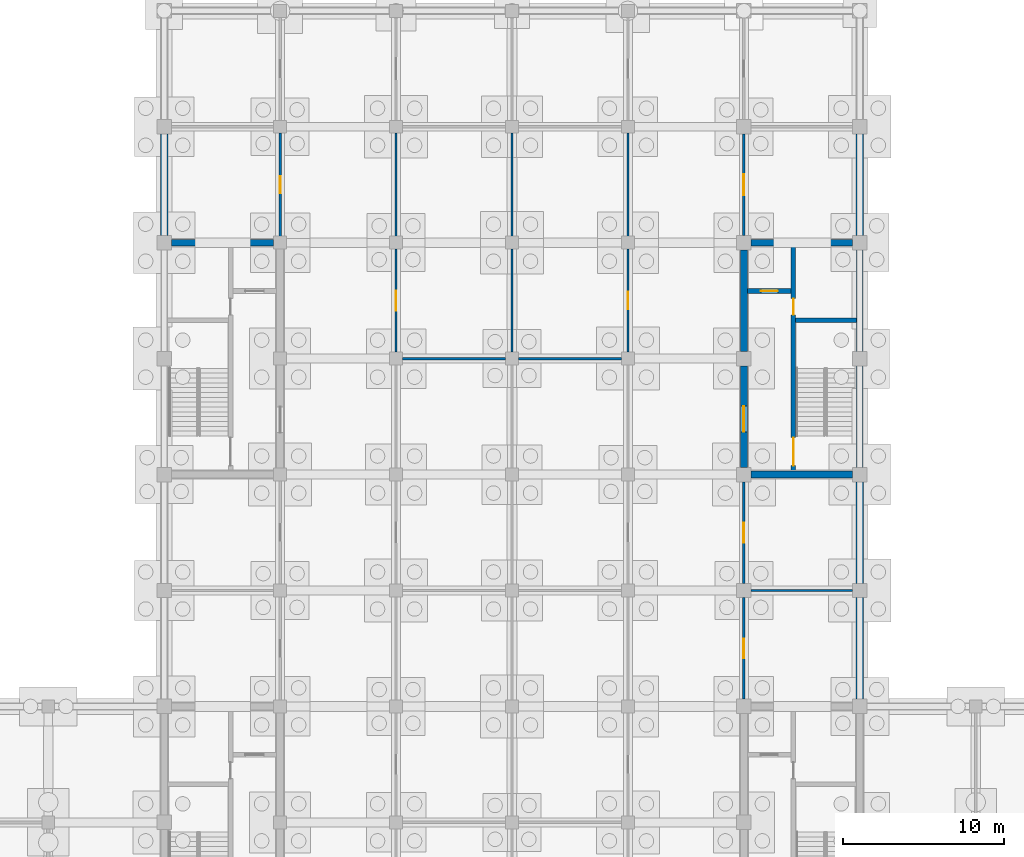
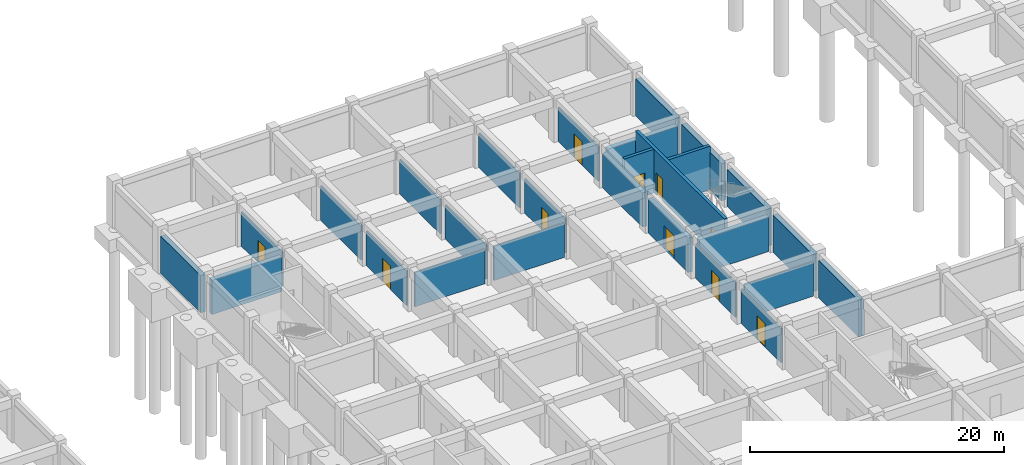
# One storey, part 18 of 25: 27 walls, 10 doors, 10 openings.
"""IFC4 building model written with IfcOpenShell, lengths in metres."""

import ifcopenshell
import ifcopenshell.guid

model = None  # the IFC model being written
_history = None  # IfcOwnerHistory: only IFC2X3 demands one
_inside = {}  # id of a spatial element -> (the spatial element, [elements in it])
_under = {}  # id of a project, library or spatial element -> (it, [spatial elements below it])
_declared = {}  # id of a project -> (the project, [libraries it declares])
_typed = {}  # id of a type object -> (the type object, [elements of that type])
_made_of = {}  # id of a material, layer set ... -> (it, [elements and type objects made of it])


def new_model(schema):
    """Start an empty IFC model of exactly this schema.

    Asked for "IFC4X3", IfcOpenShell would pick the latest addendum, in which some entities
    have other attributes; the version numbers below select the first issue.
    IFC2X3 requires an IfcOwnerHistory on every rooted entity: one is made here for all.
    """
    global model, _history
    if schema == "IFC4X3":
        model = ifcopenshell.file(schema_version=(4, 3, 0, 0))
    else:
        model = ifcopenshell.file(schema=schema)
    _inside.clear()
    _under.clear()
    _declared.clear()
    _typed.clear()
    _made_of.clear()
    _history = None
    if model.schema == "IFC2X3":
        org = make("IfcOrganization", Name="unknown")
        user = make(
            "IfcPersonAndOrganization",
            ThePerson=make("IfcPerson", FamilyName="unknown"),
            TheOrganization=org,
        )
        app = make(
            "IfcApplication",
            ApplicationDeveloper=org,
            Version="unknown",
            ApplicationFullName="unknown",
            ApplicationIdentifier="unknown",
        )
        _history = make(
            "IfcOwnerHistory",
            OwningUser=user,
            OwningApplication=app,
            ChangeAction="ADDED",
            CreationDate=0,
        )
    return model


def make(cls, **values):
    """One entity of the class cls with the attributes given. An attribute that is None is left unset."""
    return model.create_entity(
        cls, **{name: value for name, value in values.items() if value is not None}
    )


def rooted(cls, **values):
    """An entity with a GlobalId (a new one), such as an element, a storey or a relation."""
    return make(cls, GlobalId=ifcopenshell.guid.new(), OwnerHistory=_history, **values)


def si_unit(unit_type, name, prefix=None):
    """IfcSIUnit, for example si_unit("LENGTHUNIT", "METRE", prefix="MILLI")."""
    return make("IfcSIUnit", UnitType=unit_type, Prefix=prefix, Name=name)


def assignment(units):
    """IfcUnitAssignment: the units of a project."""
    return None if units is None else make("IfcUnitAssignment", Units=units)


def point(xyz):
    """IfcCartesianPoint."""
    return None if xyz is None else make("IfcCartesianPoint", Coordinates=xyz)


def direction(xyz):
    """IfcDirection."""
    return None if xyz is None else make("IfcDirection", DirectionRatios=xyz)


def frame(location, z_axis=None, x_axis=None):
    """IfcAxis2Placement3D, a coordinate frame: its origin and axes. An axis left out is left unset."""
    return make(
        "IfcAxis2Placement3D",
        Location=point(location),
        Axis=direction(z_axis),
        RefDirection=direction(x_axis),
    )


def frame_2d(location, x_axis=None):
    """IfcAxis2Placement2D, a coordinate frame in the plane: its origin and x axis."""
    return make(
        "IfcAxis2Placement2D", Location=point(location), RefDirection=direction(x_axis)
    )


def origin():
    """The frame at (0, 0, 0) with its axes left unset."""
    return frame((0.0, 0.0, 0.0))


def place(relative_to, where):
    """IfcLocalPlacement: puts the frame where relative to a parent placement (None: the world)."""
    return make(
        "IfcLocalPlacement", PlacementRelTo=relative_to, RelativePlacement=where
    )


def context(
    kind, dimensions, precision=None, world=None, true_north=None, identifier=None
):
    """IfcGeometricRepresentationContext, for example the 3D "Model" context."""
    return make(
        "IfcGeometricRepresentationContext",
        ContextIdentifier=identifier,
        ContextType=kind,
        CoordinateSpaceDimension=dimensions,
        Precision=precision,
        WorldCoordinateSystem=world,
        TrueNorth=true_north,
    )


def subcontext(parent, identifier, kind, view, scale=None):
    """IfcGeometricRepresentationSubContext, for example "Body" below "Model"."""
    return make(
        "IfcGeometricRepresentationSubContext",
        ContextIdentifier=identifier,
        ContextType=kind,
        ParentContext=parent,
        TargetScale=scale,
        TargetView=view,
    )


def project(units=None, contexts=None):
    """IfcProject with its units and contexts."""
    return rooted(
        "IfcProject",
        Name="project",
        RepresentationContexts=contexts,
        UnitsInContext=assignment(units),
    )


def spatial(cls, under=None, at=None, **own):
    """A site, building, storey or space (cls), placed at a placement, below another one or the project."""
    s = rooted(cls, ObjectPlacement=at, **own)
    if under is not None:
        _under.setdefault(under.id(), (under, []))[1].append(s)
    return s


def profile(cls, at=None, kind="AREA", **sizes):
    """A parametric profile (cls). Its sizes go by their IFC names, for example OverallWidth=200.0."""
    return make(cls, ProfileType=kind, Position=at, **sizes)


def rectangle(**sizes):
    """IfcRectangleProfileDef."""
    return profile("IfcRectangleProfileDef", **sizes)


def extrude(swept, where, along, depth):
    """IfcExtrudedAreaSolid: the profile swept, set in the frame where, extruded along a direction by depth."""
    return make(
        "IfcExtrudedAreaSolid",
        SweptArea=swept,
        Position=where,
        ExtrudedDirection=direction(along),
        Depth=depth,
    )


def shape(context_of_items, identifier, shape_type, items):
    """IfcShapeRepresentation: the items that make up one representation, for example the "Body"."""
    return make(
        "IfcShapeRepresentation",
        ContextOfItems=context_of_items,
        RepresentationIdentifier=identifier,
        RepresentationType=shape_type,
        Items=items,
    )


def material(Name=None, Category=None):
    """IfcMaterial."""
    return make("IfcMaterial", Name=Name, Category=Category)


def layer(
    of_material, thickness, ventilated=None, Name=None, Category=None, Priority=None
):
    """IfcMaterialLayer: one layer of a wall or slab, of a material (None: an air gap)."""
    return make(
        "IfcMaterialLayer",
        Material=of_material,
        LayerThickness=thickness,
        IsVentilated=ventilated,
        Name=Name,
        Category=Category,
        Priority=Priority,
    )


def layer_set(layers, Name=None):
    """IfcMaterialLayerSet."""
    return make("IfcMaterialLayerSet", MaterialLayers=layers, LayerSetName=Name)


def made_of(thing, what):
    """Note that an element or type object is made of a material, layer set ...; save() writes the relation."""
    if what is not None:
        _made_of.setdefault(what.id(), (what, []))[1].append(thing)
    return thing


def type_object(cls, material=None, **own):
    """A type object (cls), such as IfcWallType, which elements share."""
    return made_of(rooted(cls, **own), material)


def element(
    cls,
    number,
    at=None,
    inside=None,
    cuts=None,
    type_object=None,
    material=None,
    context=None,
    identifier="Body",
    shape_type=None,
    held_by="IfcProductDefinitionShape",
    body=None,
    shapes=None,
    **own,
):
    """One element of the class cls, such as IfcWall. Its Tag is "e" and its number.

    at: its placement. inside: the storey or other place that contains it. cuts: it is an
    opening in that element (IfcRelVoidsElement). A single representation is given by context,
    identifier, shape_type and body (its items); several are given by shapes. held_by: the class
    of the entity that holds the representations. save() writes the other relations.
    """
    e = rooted(cls, Tag="e%d" % number, ObjectPlacement=at, **own)
    if body is not None:
        shapes = [shape(context, identifier, shape_type, body)]
    if shapes is not None:
        e.Representation = make(held_by, Representations=shapes)
    if inside is not None:
        _inside.setdefault(inside.id(), (inside, []))[1].append(e)
    if cuts is not None:
        rooted(
            "IfcRelVoidsElement", RelatingBuildingElement=cuts, RelatedOpeningElement=e
        )
    if type_object is not None:
        _typed.setdefault(type_object.id(), (type_object, []))[1].append(e)
    return made_of(e, material)


def fill(opening, filler):
    """IfcRelFillsElement: the door or window that sits in an opening."""
    return rooted(
        "IfcRelFillsElement",
        RelatingOpeningElement=opening,
        RelatedBuildingElement=filler,
    )


def aggregate(whole, parts):
    """IfcRelAggregates: a whole, such as a stair, and the parts it consists of."""
    return rooted("IfcRelAggregates", RelatingObject=whole, RelatedObjects=parts)


def save(model, path):
    """Write the relations noted so far, then the file.

    IfcRelAggregates (storeys below a building ...), IfcRelContainedInSpatialStructure (elements
    in a storey), IfcRelDefinesByType, IfcRelAssociatesMaterial and IfcRelDeclares: one each for
    every whole, place, type object, material and project.
    """
    for whole, parts in _under.values():
        aggregate(whole, parts)
    for where, things in _inside.values():
        rooted(
            "IfcRelContainedInSpatialStructure",
            RelatedElements=things,
            RelatingStructure=where,
        )
    for kind, things in _typed.values():
        rooted("IfcRelDefinesByType", RelatedObjects=things, RelatingType=kind)
    for what, things in _made_of.values():
        rooted("IfcRelAssociatesMaterial", RelatedObjects=things, RelatingMaterial=what)
    for by, libraries in _declared.values():
        rooted("IfcRelDeclares", RelatingContext=by, RelatedDefinitions=libraries)
    model.write(path)


model = new_model("IFC4")

# Units and contexts
model_context = context("Model", 3, precision=1e-05, world=origin(), true_north=direction((0.0, 1.0)))
body_context = subcontext(model_context, "Body", "Model", "MODEL_VIEW")
ifc_project = project(units=[si_unit("LENGTHUNIT", "METRE"), si_unit("AREAUNIT", "SQUARE_METRE"), si_unit("VOLUMEUNIT", "CUBIC_METRE"), si_unit("PLANEANGLEUNIT", "RADIAN"), si_unit("MASSUNIT", "GRAM", prefix="KILO")], contexts=[model_context])

# Site, building, storey
site_placement = place(None, origin())
site = spatial("IfcSite", under=ifc_project, at=site_placement, CompositionType="ELEMENT")
building_placement = place(site_placement, origin())
building = spatial("IfcBuilding", under=site, at=building_placement, Name="Cendaluz Park School", CompositionType="ELEMENT")
storey_placement = place(building_placement, frame((0.0, 0.0, -4.5)))
storey = spatial("IfcBuildingStorey", under=building, at=storey_placement, Name="B1", CompositionType="ELEMENT", Elevation=-4.5)

# Wall, openings, doors
ifc_material_1 = material(Name="Concrete C40/50", Category="concrete")
ifc_layer_1 = layer(ifc_material_1, 0.280029296875)
ifc_layer_set_1 = layer_set([ifc_layer_1], Name="Concrete C40/50")
wall_type_1 = type_object("IfcWallType", Name="W-FW28", PredefinedType="SHEAR", material=ifc_layer_set_1)
wall_1_placement = place(storey_placement, frame((103.8798828125, 43.39990234375, 0.0), z_axis=(0.0, 0.0, 1.0), x_axis=(0.0, 1.0, 0.0)))
wall_1 = element("IfcWall", 1, at=wall_1_placement, inside=storey, type_object=wall_type_1, Name="WL-BA-BU1", PredefinedType="SHEAR", context=body_context, shape_type="SweptSolid", body=[
    extrude(rectangle(XDim=14.0, YDim=0.280029296875, at=frame_2d((7.0, 0.0))), origin(), (0.0, 0.0, 1.0), 4.199951171875),
])
opening_1_placement = place(wall_1_placement, frame((0.35009765625, 0.0, 0.0)))
opening_1 = element("IfcOpeningElement", 2, at=opening_1_placement, cuts=wall_1, Name="Opening DST-03", PredefinedType="OPENING", context=body_context, shape_type="SweptSolid", body=[
    extrude(rectangle(XDim=1.75, YDim=2.14990234375, at=frame_2d((0.875, 1.074951171875))), frame((0.0, 0.152099609375, 0.0), z_axis=(0.0, -1.0, 0.0), x_axis=(1.0, 0.0, 0.0)), (0.0, 0.0, 1.0), 0.303955078125),
])
opening_2_placement = place(wall_1_placement, frame((9.719970703125, 0.0, 0.0)))
opening_2 = element("IfcOpeningElement", 3, at=opening_2_placement, cuts=wall_1, Name="Opening DFC-01", PredefinedType="OPENING", context=body_context, shape_type="SweptSolid", body=[
    extrude(rectangle(XDim=1.0, YDim=2.14990234375, at=frame_2d((0.5, 1.074951171875))), frame((0.0, 0.152099609375, 0.0), z_axis=(0.0, -1.0, 0.0), x_axis=(1.0, 0.0, 0.0)), (0.0, 0.0, 1.0), 0.303955078125),
])
ifc_material_2 = material(Name="Solid Core Hardwood", Category="wood")
door_type_1 = type_object("IfcDoorType", Name="DFC-01", OperationType="NOTDEFINED", PredefinedType="DOOR", material=ifc_material_2)
door_1_placement = place(opening_2_placement, frame((1.0, 0.0, 0.0), z_axis=(0.0, 0.0, 1.0), x_axis=(-1.0, 0.0, 0.0)))
door_1 = element("IfcDoor", 4, at=door_1_placement, inside=storey, type_object=door_type_1, Name="D-B1-017", OperationType="SINGLE_SWING_LEFT", OverallHeight=2.14990234375, OverallWidth=1.0, PredefinedType="DOOR", context=body_context, shape_type="SweptSolid", body=[
    extrude(rectangle(XDim=1.0, YDim=2.14990234375, at=frame_2d((0.5, 1.074951171875))), frame((0.0, 0.02490234375, 0.0), z_axis=(0.0, -1.0, 0.0), x_axis=(1.0, 0.0, 0.0)), (0.0, 0.0, 1.0), 0.050048828125),
])
fill(opening_2, door_1)
door_type_2 = type_object("IfcDoorType", Name="DST-03", OperationType="DOUBLE_DOOR_SINGLE_SWING", PredefinedType="DOOR", material=ifc_material_2)
door_2_placement = place(opening_1_placement, frame((1.75, 0.0, 0.0), z_axis=(0.0, 0.0, 1.0), x_axis=(-1.0, 0.0, 0.0)))
door_2 = element("IfcDoor", 5, at=door_2_placement, inside=storey, type_object=door_type_2, Name="D-B1-016", OperationType="DOUBLE_DOOR_SINGLE_SWING", OverallHeight=2.14990234375, OverallWidth=1.75, PredefinedType="DOOR", context=body_context, shape_type="SweptSolid", body=[
    extrude(rectangle(XDim=1.75, YDim=2.14990234375, at=frame_2d((0.875, 1.074951171875))), frame((0.0, 0.02490234375, 0.0), z_axis=(0.0, -1.0, 0.0), x_axis=(1.0, 0.0, 0.0)), (0.0, 0.0, 1.0), 0.050048828125),
])
fill(opening_1, door_2)

# Wall
wall_2_placement = place(storey_placement, frame((104.02001953125, 52.780029296875, 0.0), z_axis=(0.0, 0.0, 1.0), x_axis=(1.0, 0.0, 0.0)))
element("IfcWall", 6, at=wall_2_placement, inside=storey, type_object=wall_type_1, Name="WL-BA-BU2", PredefinedType="SHEAR", context=body_context, shape_type="SweptSolid", body=[
    extrude(rectangle(XDim=3.780029296875, YDim=0.280029296875, at=frame_2d((1.89013671875, 0.0))), origin(), (0.0, 0.0, 1.0), 4.199951171875),
])

# Wall, opening, door
wall_3_placement = place(storey_placement, frame((101.0400390625, 54.60009765625, 0.0), z_axis=(0.0, 0.0, 1.0), x_axis=(1.0, 0.0, 0.0)))
wall_3 = element("IfcWall", 7, at=wall_3_placement, inside=storey, type_object=wall_type_1, Name="WL-BA-BU3", PredefinedType="SHEAR", context=body_context, shape_type="SweptSolid", body=[
    extrude(rectangle(XDim=2.679931640625, YDim=0.280029296875, at=frame_2d((1.33984375, 0.0))), origin(), (0.0, 0.0, 1.0), 4.199951171875),
])
opening_3_placement = place(wall_3_placement, frame((0.81494140625, 0.0, 0.0)))
opening_3 = element("IfcOpeningElement", 8, at=opening_3_placement, cuts=wall_3, Name="Opening LD-02", PredefinedType="OPENING", context=body_context, shape_type="SweptSolid", body=[
    extrude(rectangle(XDim=1.050048828125, YDim=2.199951171875, at=frame_2d((0.52490234375, 1.10009765625))), frame((0.0, 0.152099609375, 0.0), z_axis=(0.0, -1.0, 0.0), x_axis=(1.0, 0.0, 0.0)), (0.0, 0.0, 1.0), 0.303955078125),
])
ifc_material_3 = material(Name="Stainless Steel 316L", Category="steel")
door_type_3 = type_object("IfcDoorType", Name="LD-02", OperationType="DOUBLE_DOOR_SLIDING", PredefinedType="DOOR", material=ifc_material_3)
door_3_placement = place(opening_3_placement, frame((1.050048828125, 0.0, 0.0), z_axis=(0.0, 0.0, 1.0), x_axis=(-1.0, 0.0, 0.0)))
door_3 = element("IfcDoor", 9, at=door_3_placement, inside=storey, type_object=door_type_3, Name="D-B1-018", OperationType="DOUBLE_DOOR_SLIDING", OverallHeight=2.199951171875, OverallWidth=1.050048828125, PredefinedType="DOOR", context=body_context, shape_type="SweptSolid", body=[
    extrude(rectangle(XDim=1.050048828125, YDim=2.199951171875, at=frame_2d((0.52490234375, 1.10009765625))), frame((0.0, 0.02490234375, 0.0), z_axis=(0.0, -1.0, 0.0), x_axis=(1.0, 0.0, 0.0)), (0.0, 0.0, 1.0), 0.050048828125),
])
fill(opening_3, door_3)

# Walls
ifc_layer_2 = layer(ifc_material_1, 0.449951171875)
ifc_layer_set_2 = layer_set([ifc_layer_2], Name="Concrete C40/50")
wall_type_2 = type_object("IfcWallType", Name="W-RT45", PredefinedType="SOLIDWALL", material=ifc_layer_set_2)
for number, where, z_axis, x_axis, name in (
    (10, (64.800048828125, 58.050048828125, 0.0), (0.0, 0.0, 1.0), (0.0, 1.0, 0.0), "WL-BA-AF7"),
    (11, (108.0, 29.25, 0.0), (0.0, 0.0, 1.0), (0.0, 1.0, 0.0), "WL-BA-AG9"),
    (12, (108.0, 36.449951171875, 0.0), (0.0, 0.0, 1.0), (0.0, 1.0, 0.0), "WL-BA-AH0"),
    (13, (108.0, 58.050048828125, 0.0), (0.0, 0.0, 1.0), (0.0, 1.0, 0.0), "WL-BA-AH1"),
):
    element("IfcWall", number, at=place(storey_placement, frame(where, z_axis=z_axis, x_axis=x_axis)), inside=storey, type_object=wall_type_2, Name=name, PredefinedType="SOLIDWALL", context=body_context, shape_type="SweptSolid", body=[
        extrude(rectangle(XDim=6.300048828125, YDim=0.449951171875, at=frame_2d((3.14990234375, 0.0))), origin(), (0.0, 0.0, 1.0), 3.570068359375),
    ])
ifc_layer_3 = layer(ifc_material_1, 0.419921875)
ifc_layer_set_3 = layer_set([ifc_layer_3], Name="Concrete C40/50")
wall_type_3 = type_object("IfcWallType", Name="W-SH42", PredefinedType="SHEAR", material=ifc_layer_set_3)
wall_4_placement = place(storey_placement, frame((65.25, 57.60009765625, 0.0), z_axis=(0.0, 0.0, 1.0), x_axis=(1.0, 0.0, 0.0)))
element("IfcWall", 14, at=wall_4_placement, inside=storey, type_object=wall_type_3, Name="WL-BA-BT1", PredefinedType="SHEAR", context=body_context, shape_type="SweptSolid", body=[
    extrude(rectangle(XDim=6.35009765625, YDim=0.419921875, at=frame_2d((3.175048828125, 0.0))), origin(), (0.0, 0.0, 1.0), 3.300048828125),
])

# Wall, opening, door
wall_5_placement = place(storey_placement, frame((100.800048828125, 43.64990234375, 0.0), z_axis=(0.0, 0.0, 1.0), x_axis=(0.0, 1.0, 0.0)))
wall_5 = element("IfcWall", 15, at=wall_5_placement, inside=storey, type_object=wall_type_3, Name="WL-BA-BT5", PredefinedType="SHEAR", context=body_context, shape_type="SweptSolid", body=[
    extrude(rectangle(XDim=6.300048828125, YDim=0.419921875, at=frame_2d((3.14990234375, 0.0))), origin(), (0.0, 0.0, 1.0), 3.300048828125),
])
opening_4_placement = place(wall_5_placement, frame((2.199951171875, 0.0, 0.0)))
opening_4 = element("IfcOpeningElement", 16, at=opening_4_placement, cuts=wall_5, Name="Opening DLB-01", PredefinedType="OPENING", context=body_context, shape_type="SweptSolid", body=[
    extrude(rectangle(XDim=1.60009765625, YDim=2.199951171875, at=frame_2d((0.800048828125, 1.10009765625))), frame((0.0, 0.221923828125, 0.0), z_axis=(0.0, -1.0, 0.0), x_axis=(1.0, 0.0, 0.0)), (0.0, 0.0, 1.0), 0.44384765625),
])
door_type_4 = type_object("IfcDoorType", Name="DLB-01", OperationType="DOUBLE_DOOR_SINGLE_SWING", PredefinedType="DOOR", material=ifc_material_2)
door_4_placement = place(opening_4_placement, frame((1.60009765625, 0.0, 0.0), z_axis=(0.0, 0.0, 1.0), x_axis=(-1.0, 0.0, 0.0)))
door_4 = element("IfcDoor", 17, at=door_4_placement, inside=storey, type_object=door_type_4, Name="D-B1-015", OperationType="DOUBLE_DOOR_SINGLE_SWING", OverallHeight=2.199951171875, OverallWidth=1.60009765625, PredefinedType="DOOR", context=body_context, shape_type="SweptSolid", body=[
    extrude(rectangle(XDim=1.60009765625, YDim=2.199951171875, at=frame_2d((0.800048828125, 1.10009765625))), frame((0.0, 0.02490234375, 0.0), z_axis=(0.0, -1.0, 0.0), x_axis=(1.0, 0.0, 0.0)), (0.0, 0.0, 1.0), 0.050048828125),
])
fill(opening_4, door_4)

# Walls
wall_6_placement = place(storey_placement, frame((100.800048828125, 50.85009765625, 0.0), z_axis=(0.0, 0.0, 1.0), x_axis=(0.0, 1.0, 0.0)))
element("IfcWall", 18, at=wall_6_placement, inside=storey, type_object=wall_type_3, Name="WL-BA-BT6", PredefinedType="SHEAR", context=body_context, shape_type="SweptSolid", body=[
    extrude(rectangle(XDim=6.2998046875, YDim=0.419921875, at=frame_2d((3.14990234375, 0.0))), origin(), (0.0, 0.0, 1.0), 3.300048828125),
])
wall_7_placement = place(storey_placement, frame((108.0, 43.64990234375, 0.0), z_axis=(0.0, 0.0, 1.0), x_axis=(0.0, 1.0, 0.0)))
element("IfcWall", 19, at=wall_7_placement, inside=storey, type_object=wall_type_3, Name="WL-BA-BT7", PredefinedType="SHEAR", context=body_context, shape_type="SweptSolid", body=[
    extrude(rectangle(XDim=6.300048828125, YDim=0.419921875, at=frame_2d((3.14990234375, 0.0))), origin(), (0.0, 0.0, 1.0), 3.570068359375),
])
wall_8_placement = place(storey_placement, frame((108.0, 50.85009765625, 0.0), z_axis=(0.0, 0.0, 1.0), x_axis=(0.0, 1.0, 0.0)))
element("IfcWall", 20, at=wall_8_placement, inside=storey, type_object=wall_type_3, Name="WL-BA-BT8", PredefinedType="SHEAR", context=body_context, shape_type="SweptSolid", body=[
    extrude(rectangle(XDim=6.2998046875, YDim=0.419921875, at=frame_2d((3.14990234375, 0.0))), origin(), (0.0, 0.0, 1.0), 3.570068359375),
])
for number, where, z_axis, x_axis, name in (
    (21, (101.25, 43.199951171875, 0.0), (0.0, 0.0, 1.0), (1.0, 0.0, 0.0), "WL-BA-BT9"),
    (22, (101.25, 57.60009765625, 0.0), (0.0, 0.0, 1.0), (1.0, 0.0, 0.0), "WL-BA-BU0"),
):
    element("IfcWall", number, at=place(storey_placement, frame(where, z_axis=z_axis, x_axis=x_axis)), inside=storey, type_object=wall_type_3, Name=name, PredefinedType="SHEAR", context=body_context, shape_type="SweptSolid", body=[
        extrude(rectangle(XDim=6.300048828125, YDim=0.419921875, at=frame_2d((3.14990234375, 0.0))), origin(), (0.0, 0.0, 1.0), 3.300048828125),
    ])

# Wall, opening, door
ifc_material_4 = material(Name="Gypsum Plasterboard on Cold-Formed Stud", Category="gypsum")
ifc_layer_4 = layer(ifc_material_4, 0.139892578125)
ifc_layer_set_4 = layer_set([ifc_layer_4], Name="Gypsum Plasterboard on Cold-Formed Stud")
wall_type_4 = type_object("IfcWallType", Name="W-ST14", PredefinedType="PARTITIONING", material=ifc_layer_set_4)
wall_9_placement = place(storey_placement, frame((72.0, 58.0, 0.0), z_axis=(0.0, 0.0, 1.0), x_axis=(0.0, 1.0, 0.0)))
wall_9 = element("IfcWall", 23, at=wall_9_placement, inside=storey, type_object=wall_type_4, Name="WL-BA-CK4", PredefinedType="PARTITIONING", context=body_context, shape_type="SweptSolid", body=[
    extrude(rectangle(XDim=6.39990234375, YDim=0.139892578125, at=frame_2d((3.199951171875, 0.0))), origin(), (0.0, 0.0, 1.0), 3.300048828125),
])
opening_5_placement = place(wall_9_placement, frame((2.669921875, 0.0, 0.0)))
opening_5 = element("IfcOpeningElement", 24, at=opening_5_placement, cuts=wall_9, Name="Opening DCL-04", PredefinedType="OPENING", context=body_context, shape_type="SweptSolid", body=[
    extrude(rectangle(XDim=1.06005859375, YDim=2.159912109375, at=frame_2d((0.530029296875, 1.080078125))), frame((0.0, 0.08203125, 0.0), z_axis=(0.0, -1.0, 0.0), x_axis=(1.0, 0.0, 0.0)), (0.0, 0.0, 1.0), 0.163818359375),
])
door_type_5 = type_object("IfcDoorType", Name="DCL-04", OperationType="NOTDEFINED", PredefinedType="DOOR", material=ifc_material_2)
door_5_placement = place(opening_5_placement, origin())
door_5 = element("IfcDoor", 25, at=door_5_placement, inside=storey, type_object=door_type_5, Name="D-B1-068", OperationType="SINGLE_SWING_LEFT", OverallHeight=2.159912109375, OverallWidth=1.06005859375, PredefinedType="DOOR", context=body_context, shape_type="SweptSolid", body=[
    extrude(rectangle(XDim=1.06005859375, YDim=2.159912109375, at=frame_2d((0.530029296875, 1.080078125))), frame((0.0, 0.02490234375, 0.0), z_axis=(0.0, -1.0, 0.0), x_axis=(1.0, 0.0, 0.0)), (0.0, 0.0, 1.0), 0.050048828125),
])
fill(opening_5, door_5)

# Wall
wall_10_placement = place(storey_placement, frame((79.60009765625, 50.39990234375, 0.0), z_axis=(0.0, 0.0, 1.0), x_axis=(1.0, 0.0, 0.0)))
element("IfcWall", 26, at=wall_10_placement, inside=storey, type_object=wall_type_4, Name="WL-BA-CL7", PredefinedType="PARTITIONING", context=body_context, shape_type="SweptSolid", body=[
    extrude(rectangle(XDim=6.39990234375, YDim=0.139892578125, at=frame_2d((3.199951171875, 0.0))), origin(), (0.0, 0.0, 1.0), 3.300048828125),
])

# Wall, opening, door
wall_11_placement = place(storey_placement, frame((79.199951171875, 50.800048828125, 0.0), z_axis=(0.0, 0.0, 1.0), x_axis=(0.0, 1.0, 0.0)))
wall_11 = element("IfcWall", 27, at=wall_11_placement, inside=storey, type_object=wall_type_4, Name="WL-BA-CM0", PredefinedType="PARTITIONING", context=body_context, shape_type="SweptSolid", body=[
    extrude(rectangle(XDim=6.39990234375, YDim=0.139892578125, at=frame_2d((3.199951171875, 0.0))), origin(), (0.0, 0.0, 1.0), 3.300048828125),
])
opening_6_placement = place(wall_11_placement, frame((2.580078125, 0.0, 0.0)))
opening_6 = element("IfcOpeningElement", 28, at=opening_6_placement, cuts=wall_11, Name="Opening DCL-09", PredefinedType="OPENING", context=body_context, shape_type="SweptSolid", body=[
    extrude(rectangle(XDim=1.239990234375, YDim=2.260009765625, at=frame_2d((0.6201171875, 1.1298828125))), frame((0.0, 0.08203125, 0.0), z_axis=(0.0, -1.0, 0.0), x_axis=(1.0, 0.0, 0.0)), (0.0, 0.0, 1.0), 0.163818359375),
])
door_type_6 = type_object("IfcDoorType", Name="DCL-09", OperationType="NOTDEFINED", PredefinedType="DOOR", material=ifc_material_2)
door_6_placement = place(opening_6_placement, frame((1.239990234375, 0.0, 0.0), z_axis=(0.0, 0.0, 1.0), x_axis=(-1.0, 0.0, 0.0)))
door_6 = element("IfcDoor", 29, at=door_6_placement, inside=storey, type_object=door_type_6, Name="D-B1-073", OperationType="SINGLE_SWING_RIGHT", OverallHeight=2.260009765625, OverallWidth=1.239990234375, PredefinedType="DOOR", context=body_context, shape_type="SweptSolid", body=[
    extrude(rectangle(XDim=1.239990234375, YDim=2.260009765625, at=frame_2d((0.6201171875, 1.1298828125))), frame((0.0, 0.02490234375, 0.0), z_axis=(0.0, -1.0, 0.0), x_axis=(1.0, 0.0, 0.0)), (0.0, 0.0, 1.0), 0.050048828125),
])
fill(opening_6, door_6)

# Walls
for number, where, z_axis, x_axis, name in (
    (30, (86.39990234375, 50.800048828125, 0.0), (0.0, 0.0, 1.0), (0.0, 1.0, 0.0), "WL-BA-CM1"),
    (31, (79.199951171875, 58.0, 0.0), (0.0, 0.0, 1.0), (0.0, 1.0, 0.0), "WL-BA-CM3"),
    (32, (86.39990234375, 58.0, 0.0), (0.0, 0.0, 1.0), (0.0, 1.0, 0.0), "WL-BA-CM4"),
    (33, (86.800048828125, 50.39990234375, 0.0), (0.0, 0.0, 1.0), (1.0, 0.0, 0.0), "WL-BA-CN7"),
):
    element("IfcWall", number, at=place(storey_placement, frame(where, z_axis=z_axis, x_axis=x_axis)), inside=storey, type_object=wall_type_4, Name=name, PredefinedType="PARTITIONING", context=body_context, shape_type="SweptSolid", body=[
        extrude(rectangle(XDim=6.39990234375, YDim=0.139892578125, at=frame_2d((3.199951171875, 0.0))), origin(), (0.0, 0.0, 1.0), 3.300048828125),
    ])

# Wall, opening, door
wall_12_placement = place(storey_placement, frame((93.60009765625, 50.800048828125, 0.0), z_axis=(0.0, 0.0, 1.0), x_axis=(0.0, 1.0, 0.0)))
wall_12 = element("IfcWall", 34, at=wall_12_placement, inside=storey, type_object=wall_type_4, Name="WL-BA-CN9", PredefinedType="PARTITIONING", context=body_context, shape_type="SweptSolid", body=[
    extrude(rectangle(XDim=6.39990234375, YDim=0.139892578125, at=frame_2d((3.199951171875, 0.0))), origin(), (0.0, 0.0, 1.0), 3.300048828125),
])
opening_7_placement = place(wall_12_placement, frame((2.659912109375, 0.0, 0.0)))
opening_7 = element("IfcOpeningElement", 35, at=opening_7_placement, cuts=wall_12, Name="Opening DCL-05", PredefinedType="OPENING", context=body_context, shape_type="SweptSolid", body=[
    extrude(rectangle(XDim=1.080078125, YDim=2.179931640625, at=frame_2d((0.5400390625, 1.08984375))), frame((0.0, 0.08203125, 0.0), z_axis=(0.0, -1.0, 0.0), x_axis=(1.0, 0.0, 0.0)), (0.0, 0.0, 1.0), 0.163818359375),
])
door_type_7 = type_object("IfcDoorType", Name="DCL-05", OperationType="NOTDEFINED", PredefinedType="DOOR", material=ifc_material_2)
door_7_placement = place(opening_7_placement, origin())
door_7 = element("IfcDoor", 36, at=door_7_placement, inside=storey, type_object=door_type_7, Name="D-B1-079", OperationType="SINGLE_SWING_RIGHT", OverallHeight=2.179931640625, OverallWidth=1.080078125, PredefinedType="DOOR", context=body_context, shape_type="SweptSolid", body=[
    extrude(rectangle(XDim=1.080078125, YDim=2.179931640625, at=frame_2d((0.5400390625, 1.08984375))), frame((0.0, 0.02490234375, 0.0), z_axis=(0.0, -1.0, 0.0), x_axis=(1.0, 0.0, 0.0)), (0.0, 0.0, 1.0), 0.050048828125),
])
fill(opening_7, door_7)

# Walls
wall_13_placement = place(storey_placement, frame((93.60009765625, 58.0, 0.0), z_axis=(0.0, 0.0, 1.0), x_axis=(0.0, 1.0, 0.0)))
element("IfcWall", 37, at=wall_13_placement, inside=storey, type_object=wall_type_4, Name="WL-BA-CO1", PredefinedType="PARTITIONING", context=body_context, shape_type="SweptSolid", body=[
    extrude(rectangle(XDim=6.39990234375, YDim=0.139892578125, at=frame_2d((3.199951171875, 0.0))), origin(), (0.0, 0.0, 1.0), 3.300048828125),
])
wall_14_placement = place(storey_placement, frame((101.25, 36.0, 0.0), z_axis=(0.0, 0.0, 1.0), x_axis=(1.0, 0.0, 0.0)))
element("IfcWall", 38, at=wall_14_placement, inside=storey, type_object=wall_type_4, Name="WL-BA-CO5", PredefinedType="PARTITIONING", context=body_context, shape_type="SweptSolid", body=[
    extrude(rectangle(XDim=6.300048828125, YDim=0.139892578125, at=frame_2d((3.14990234375, 0.0))), origin(), (0.0, 0.0, 1.0), 3.300048828125),
])

# Wall, opening, door
wall_15_placement = place(storey_placement, frame((100.800048828125, 29.25, 0.0), z_axis=(0.0, 0.0, 1.0), x_axis=(0.0, 1.0, 0.0)))
wall_15 = element("IfcWall", 39, at=wall_15_placement, inside=storey, type_object=wall_type_4, Name="WL-BA-CO6", PredefinedType="PARTITIONING", context=body_context, shape_type="SweptSolid", body=[
    extrude(rectangle(XDim=6.300048828125, YDim=0.139892578125, at=frame_2d((3.14990234375, 0.0))), origin(), (0.0, 0.0, 1.0), 3.300048828125),
])
opening_8_placement = place(wall_15_placement, frame((2.550048828125, 0.0, 0.0)))
opening_8 = element("IfcOpeningElement", 40, at=opening_8_placement, cuts=wall_15, Name="Opening DCL-08", PredefinedType="OPENING", context=body_context, shape_type="SweptSolid", body=[
    extrude(rectangle(XDim=1.199951171875, YDim=2.239990234375, at=frame_2d((0.60009765625, 1.1201171875))), frame((0.0, 0.08203125, 0.0), z_axis=(0.0, -1.0, 0.0), x_axis=(1.0, 0.0, 0.0)), (0.0, 0.0, 1.0), 0.163818359375),
])
door_type_8 = type_object("IfcDoorType", Name="DCL-08", OperationType="NOTDEFINED", PredefinedType="DOOR", material=ifc_material_2)
door_8_placement = place(opening_8_placement, frame((1.199951171875, 0.0, 0.0), z_axis=(0.0, 0.0, 1.0), x_axis=(-1.0, 0.0, 0.0)))
door_8 = element("IfcDoor", 41, at=door_8_placement, inside=storey, type_object=door_type_8, Name="D-B1-082", OperationType="SINGLE_SWING_LEFT", OverallHeight=2.239990234375, OverallWidth=1.199951171875, PredefinedType="DOOR", context=body_context, shape_type="SweptSolid", body=[
    extrude(rectangle(XDim=1.199951171875, YDim=2.239990234375, at=frame_2d((0.60009765625, 1.1201171875))), frame((0.0, 0.02490234375, 0.0), z_axis=(0.0, -1.0, 0.0), x_axis=(1.0, 0.0, 0.0)), (0.0, 0.0, 1.0), 0.050048828125),
])
fill(opening_8, door_8)

wall_16_placement = place(storey_placement, frame((100.800048828125, 36.449951171875, 0.0), z_axis=(0.0, 0.0, 1.0), x_axis=(0.0, 1.0, 0.0)))
wall_16 = element("IfcWall", 42, at=wall_16_placement, inside=storey, type_object=wall_type_4, Name="WL-BA-CO7", PredefinedType="PARTITIONING", context=body_context, shape_type="SweptSolid", body=[
    extrude(rectangle(XDim=6.300048828125, YDim=0.139892578125, at=frame_2d((3.14990234375, 0.0))), origin(), (0.0, 0.0, 1.0), 3.300048828125),
])
opening_9_placement = place(wall_16_placement, frame((2.530029296875, 0.0, 0.0)))
opening_9 = element("IfcOpeningElement", 43, at=opening_9_placement, cuts=wall_16, Name="Opening DCL-09", PredefinedType="OPENING", context=body_context, shape_type="SweptSolid", body=[
    extrude(rectangle(XDim=1.239990234375, YDim=2.260009765625, at=frame_2d((0.6201171875, 1.1298828125))), frame((0.0, 0.08203125, 0.0), z_axis=(0.0, -1.0, 0.0), x_axis=(1.0, 0.0, 0.0)), (0.0, 0.0, 1.0), 0.163818359375),
])
door_9_placement = place(opening_9_placement, frame((1.239990234375, 0.0, 0.0), z_axis=(0.0, 0.0, 1.0), x_axis=(-1.0, 0.0, 0.0)))
door_9 = element("IfcDoor", 44, at=door_9_placement, inside=storey, type_object=door_type_6, Name="D-B1-083", OperationType="SINGLE_SWING_RIGHT", OverallHeight=2.260009765625, OverallWidth=1.239990234375, PredefinedType="DOOR", context=body_context, shape_type="SweptSolid", body=[
    extrude(rectangle(XDim=1.239990234375, YDim=2.260009765625, at=frame_2d((0.6201171875, 1.1298828125))), frame((0.0, 0.02490234375, 0.0), z_axis=(0.0, -1.0, 0.0), x_axis=(1.0, 0.0, 0.0)), (0.0, 0.0, 1.0), 0.050048828125),
])
fill(opening_9, door_9)

wall_17_placement = place(storey_placement, frame((100.800048828125, 58.050048828125, 0.0), z_axis=(0.0, 0.0, 1.0), x_axis=(0.0, 1.0, 0.0)))
wall_17 = element("IfcWall", 45, at=wall_17_placement, inside=storey, type_object=wall_type_4, Name="WL-BA-CO9", PredefinedType="PARTITIONING", context=body_context, shape_type="SweptSolid", body=[
    extrude(rectangle(XDim=6.300048828125, YDim=0.139892578125, at=frame_2d((3.14990234375, 0.0))), origin(), (0.0, 0.0, 1.0), 3.300048828125),
])
opening_10_placement = place(wall_17_placement, frame((2.510009765625, 0.0, 0.0)))
opening_10 = element("IfcOpeningElement", 46, at=opening_10_placement, cuts=wall_17, Name="Opening DCL-10", PredefinedType="OPENING", context=body_context, shape_type="SweptSolid", body=[
    extrude(rectangle(XDim=1.280029296875, YDim=2.280029296875, at=frame_2d((0.64013671875, 1.14013671875))), frame((0.0, 0.08203125, 0.0), z_axis=(0.0, -1.0, 0.0), x_axis=(1.0, 0.0, 0.0)), (0.0, 0.0, 1.0), 0.163818359375),
])
door_type_9 = type_object("IfcDoorType", Name="DCL-10", OperationType="NOTDEFINED", PredefinedType="DOOR", material=ifc_material_2)
door_10_placement = place(opening_10_placement, frame((1.280029296875, 0.0, 0.0), z_axis=(0.0, 0.0, 1.0), x_axis=(-1.0, 0.0, 0.0)))
door_10 = element("IfcDoor", 47, at=door_10_placement, inside=storey, type_object=door_type_9, Name="D-B1-084", OperationType="SINGLE_SWING_LEFT", OverallHeight=2.280029296875, OverallWidth=1.280029296875, PredefinedType="DOOR", context=body_context, shape_type="SweptSolid", body=[
    extrude(rectangle(XDim=1.280029296875, YDim=2.280029296875, at=frame_2d((0.64013671875, 1.14013671875))), frame((0.0, 0.02490234375, 0.0), z_axis=(0.0, -1.0, 0.0), x_axis=(1.0, 0.0, 0.0)), (0.0, 0.0, 1.0), 0.050048828125),
])
fill(opening_10, door_10)

save(model, "model.ifc")
